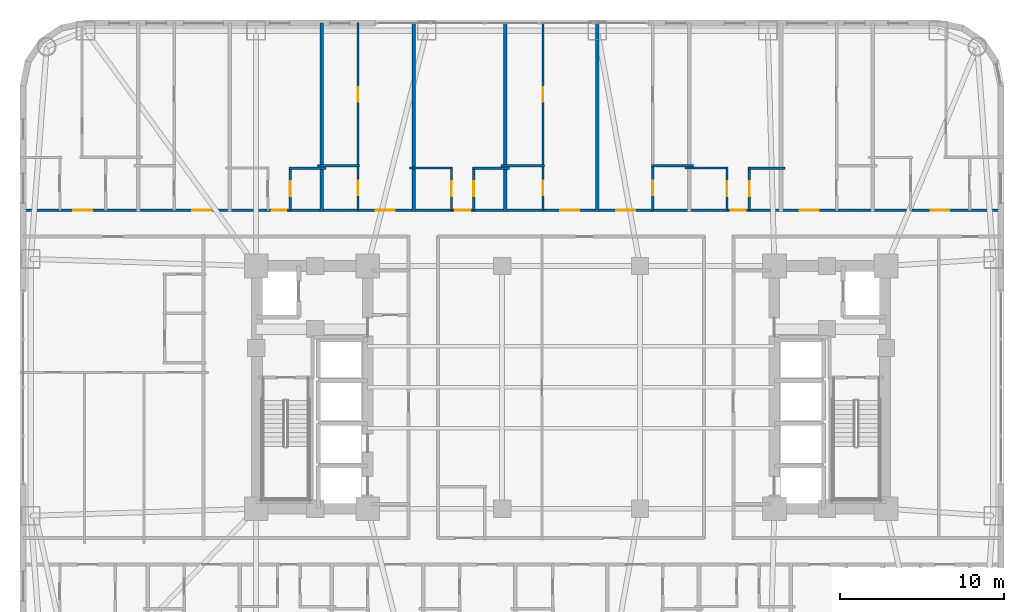
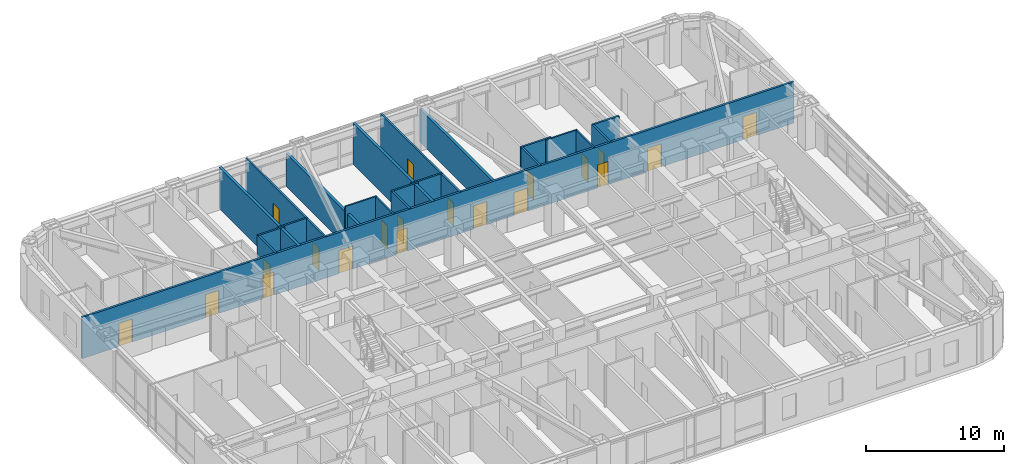
# One storey, part 25 of 28: 23 walls, 20 doors, 20 openings.
"""IFC4 building model written with IfcOpenShell, lengths in metres."""

from ifc_helpers import new_model, si_unit, direction, frame, frame_2d, origin, place, context, subcontext, project, spatial, rectangle, extrude, material, layer, layer_set, type_object, element, fill, save


model = new_model("IFC4")

# Units and contexts
model_context = context("Model", 3, precision=1e-05, world=origin(), true_north=direction((0.0, 1.0)))
body_context = subcontext(model_context, "Body", "Model", "MODEL_VIEW")
ifc_project = project(units=[si_unit("LENGTHUNIT", "METRE"), si_unit("AREAUNIT", "SQUARE_METRE"), si_unit("VOLUMEUNIT", "CUBIC_METRE"), si_unit("PLANEANGLEUNIT", "RADIAN"), si_unit("MASSUNIT", "GRAM", prefix="KILO")], contexts=[model_context])

# Site, building, storey
site_placement = place(None, origin())
site = spatial("IfcSite", under=ifc_project, at=site_placement, CompositionType="ELEMENT")
building_placement = place(site_placement, origin())
building = spatial("IfcBuilding", under=site, at=building_placement, Name="Voryun Gate Residences", CompositionType="ELEMENT")
storey_placement = place(building_placement, frame((0.0, 0.0, 61.10009765625)))
storey = spatial("IfcBuildingStorey", under=building, at=storey_placement, Name="L14", CompositionType="ELEMENT", Elevation=61.10009765625)

# Wall, openings, doors
ifc_material_1 = material(Name="Gypsum acoustic fireboard")
ifc_layer_1 = layer(ifc_material_1, 0.179931640625, Name="W_CORR_RATED_180")
ifc_layer_set_1 = layer_set([ifc_layer_1], Name="Gypsum acoustic fireboard")
wall_type_1 = type_object("IfcWallType", Name="W_CORR_RATED_180", PredefinedType="PARTITIONING", material=ifc_layer_set_1)
wall_1_placement = place(storey_placement, frame((-33.409912109375, 10.800048828125, 0.0), z_axis=(0.0, 0.0, 1.0), x_axis=(1.0, 0.0, 0.0)))
wall_1 = element("IfcWall", 1, at=wall_1_placement, inside=storey, type_object=wall_type_1, Name="Partition wall WP-L14-NCORR", PredefinedType="PARTITIONING", context=body_context, shape_type="SweptSolid", body=[
    extrude(rectangle(XDim=59.619873046875, YDim=0.179931640625, at=frame_2d((29.81005859375, 0.0))), origin(), (0.0, 0.0, 1.0), 3.64990234375),
])
opening_1_placement = place(wall_1_placement, frame((3.061767578125, 0.0, 0.0)))
opening_1 = element("IfcOpeningElement", 2, at=opening_1_placement, cuts=wall_1, Name="Opening D-UNIT-1", PredefinedType="OPENING", context=body_context, shape_type="SweptSolid", body=[
    extrude(rectangle(XDim=1.14990234375, YDim=2.050048828125, at=frame_2d((0.574951171875, 1.02490234375))), frame((0.0, 0.099853515625, 0.0), z_axis=(0.0, -1.0, 0.0), x_axis=(1.0, 0.0, 0.0)), (0.0, 0.0, 1.0), 0.199951171875),
])
opening_2_placement = place(wall_1_placement, frame((10.3115234375, 0.0, 0.0)))
opening_2 = element("IfcOpeningElement", 3, at=opening_2_placement, cuts=wall_1, Name="Opening D-UNIT-1", PredefinedType="OPENING", context=body_context, shape_type="SweptSolid", body=[
    extrude(rectangle(XDim=1.14990234375, YDim=2.050048828125, at=frame_2d((0.574951171875, 1.02490234375))), frame((0.0, 0.099853515625, 0.0), z_axis=(0.0, -1.0, 0.0), x_axis=(1.0, 0.0, 0.0)), (0.0, 0.0, 1.0), 0.199951171875),
])
opening_3_placement = place(wall_1_placement, frame((15.152587890625, 0.0, 0.0)))
opening_3 = element("IfcOpeningElement", 4, at=opening_3_placement, cuts=wall_1, Name="Opening D-INT-2", PredefinedType="OPENING", context=body_context, shape_type="SweptSolid", body=[
    extrude(rectangle(XDim=0.89990234375, YDim=2.050048828125, at=frame_2d((0.449951171875, 1.02490234375))), frame((0.0, 0.099853515625, 0.0), z_axis=(0.0, -1.0, 0.0), x_axis=(1.0, 0.0, 0.0)), (0.0, 0.0, 1.0), 0.199951171875),
])
opening_4_placement = place(wall_1_placement, frame((21.50830078125, 0.0, 0.0)))
opening_4 = element("IfcOpeningElement", 5, at=opening_4_placement, cuts=wall_1, Name="Opening D-UNIT-1", PredefinedType="OPENING", context=body_context, shape_type="SweptSolid", body=[
    extrude(rectangle(XDim=1.14990234375, YDim=2.050048828125, at=frame_2d((0.574951171875, 1.02490234375))), frame((0.0, 0.099853515625, 0.0), z_axis=(0.0, -1.0, 0.0), x_axis=(1.0, 0.0, 0.0)), (0.0, 0.0, 1.0), 0.199951171875),
])
opening_5_placement = place(wall_1_placement, frame((26.355224609375, 0.0, 0.0)))
opening_5 = element("IfcOpeningElement", 6, at=opening_5_placement, cuts=wall_1, Name="Opening D-INT-2", PredefinedType="OPENING", context=body_context, shape_type="SweptSolid", body=[
    extrude(rectangle(XDim=0.89990234375, YDim=2.050048828125, at=frame_2d((0.449951171875, 1.02490234375))), frame((0.0, 0.099853515625, 0.0), z_axis=(0.0, -1.0, 0.0), x_axis=(1.0, 0.0, 0.0)), (0.0, 0.0, 1.0), 0.199951171875),
])
opening_6_placement = place(wall_1_placement, frame((32.752685546875, 0.0, 0.0)))
opening_6 = element("IfcOpeningElement", 7, at=opening_6_placement, cuts=wall_1, Name="Opening D-UNIT-1", PredefinedType="OPENING", context=body_context, shape_type="SweptSolid", body=[
    extrude(rectangle(XDim=1.14990234375, YDim=2.050048828125, at=frame_2d((0.574951171875, 1.02490234375))), frame((0.0, 0.099853515625, 0.0), z_axis=(0.0, -1.0, 0.0), x_axis=(1.0, 0.0, 0.0)), (0.0, 0.0, 1.0), 0.199951171875),
])
opening_7_placement = place(wall_1_placement, frame((36.162841796875, 0.0, 0.0)))
opening_7 = element("IfcOpeningElement", 8, at=opening_7_placement, cuts=wall_1, Name="Opening D-UNIT-1", PredefinedType="OPENING", context=body_context, shape_type="SweptSolid", body=[
    extrude(rectangle(XDim=1.14990234375, YDim=2.050048828125, at=frame_2d((0.574951171875, 1.02490234375))), frame((0.0, 0.099853515625, 0.0), z_axis=(0.0, -1.0, 0.0), x_axis=(1.0, 0.0, 0.0)), (0.0, 0.0, 1.0), 0.199951171875),
])
opening_8_placement = place(wall_1_placement, frame((43.156005859375, 0.0, 0.0)))
opening_8 = element("IfcOpeningElement", 9, at=opening_8_placement, cuts=wall_1, Name="Opening D-INT-2", PredefinedType="OPENING", context=body_context, shape_type="SweptSolid", body=[
    extrude(rectangle(XDim=0.89990234375, YDim=2.050048828125, at=frame_2d((0.449951171875, 1.02490234375))), frame((0.0, 0.099853515625, 0.0), z_axis=(0.0, -1.0, 0.0), x_axis=(1.0, 0.0, 0.0)), (0.0, 0.0, 1.0), 0.199951171875),
])
opening_9_placement = place(wall_1_placement, frame((47.359619140625, 0.0, 0.0)))
opening_9 = element("IfcOpeningElement", 10, at=opening_9_placement, cuts=wall_1, Name="Opening D-UNIT-1", PredefinedType="OPENING", context=body_context, shape_type="SweptSolid", body=[
    extrude(rectangle(XDim=1.14990234375, YDim=2.050048828125, at=frame_2d((0.574951171875, 1.02490234375))), frame((0.0, 0.099853515625, 0.0), z_axis=(0.0, -1.0, 0.0), x_axis=(1.0, 0.0, 0.0)), (0.0, 0.0, 1.0), 0.199951171875),
])
opening_10_placement = place(wall_1_placement, frame((55.336669921875, 0.0, 0.0)))
opening_10 = element("IfcOpeningElement", 11, at=opening_10_placement, cuts=wall_1, Name="Opening D-UNIT-1", PredefinedType="OPENING", context=body_context, shape_type="SweptSolid", body=[
    extrude(rectangle(XDim=1.14990234375, YDim=2.050048828125, at=frame_2d((0.574951171875, 1.02490234375))), frame((0.0, 0.099853515625, 0.0), z_axis=(0.0, -1.0, 0.0), x_axis=(1.0, 0.0, 0.0)), (0.0, 0.0, 1.0), 0.199951171875),
])
ifc_material_2 = material(Name="Architectural oak veneer")
door_type_1 = type_object("IfcDoorType", Name="DR_INT_BATH_900", OperationType="NOTDEFINED", PredefinedType="DOOR", material=ifc_material_2)
door_1_placement = place(opening_3_placement, origin())
door_1 = element("IfcDoor", 12, at=door_1_placement, inside=storey, type_object=door_type_1, Name="Door DR-L14-NENT-3", OperationType="SINGLE_SWING_LEFT", OverallHeight=2.050048828125, OverallWidth=0.89990234375, PredefinedType="DOOR", context=body_context, shape_type="SweptSolid", body=[
    extrude(rectangle(XDim=0.89990234375, YDim=2.050048828125, at=frame_2d((0.449951171875, 1.02490234375))), frame((0.0, 0.02490234375, 0.0), z_axis=(0.0, -1.0, 0.0), x_axis=(1.0, 0.0, 0.0)), (0.0, 0.0, 1.0), 0.050048828125),
])
fill(opening_3, door_1)
door_2_placement = place(opening_5_placement, origin())
door_2 = element("IfcDoor", 13, at=door_2_placement, inside=storey, type_object=door_type_1, Name="Door DR-L14-NENT-5", OperationType="SINGLE_SWING_LEFT", OverallHeight=2.050048828125, OverallWidth=0.89990234375, PredefinedType="DOOR", context=body_context, shape_type="SweptSolid", body=[
    extrude(rectangle(XDim=0.89990234375, YDim=2.050048828125, at=frame_2d((0.449951171875, 1.02490234375))), frame((0.0, 0.02490234375, 0.0), z_axis=(0.0, -1.0, 0.0), x_axis=(1.0, 0.0, 0.0)), (0.0, 0.0, 1.0), 0.050048828125),
])
fill(opening_5, door_2)
door_3_placement = place(opening_8_placement, origin())
door_3 = element("IfcDoor", 14, at=door_3_placement, inside=storey, type_object=door_type_1, Name="Door DR-L14-NENT-8", OperationType="SINGLE_SWING_RIGHT", OverallHeight=2.050048828125, OverallWidth=0.89990234375, PredefinedType="DOOR", context=body_context, shape_type="SweptSolid", body=[
    extrude(rectangle(XDim=0.89990234375, YDim=2.050048828125, at=frame_2d((0.449951171875, 1.02490234375))), frame((0.0, 0.02490234375, 0.0), z_axis=(0.0, -1.0, 0.0), x_axis=(1.0, 0.0, 0.0)), (0.0, 0.0, 1.0), 0.050048828125),
])
fill(opening_8, door_3)
ifc_material_3 = material(Name="Armoured timber-clad fire door", Category="wood")
door_type_2 = type_object("IfcDoorType", Name="DR_UNIT_ENTRY_1150", OperationType="NOTDEFINED", PredefinedType="DOOR", material=ifc_material_3)
door_4_placement = place(opening_1_placement, origin())
door_4 = element("IfcDoor", 15, at=door_4_placement, inside=storey, type_object=door_type_2, Name="Door DR-L14-NENT-1", OperationType="SINGLE_SWING_LEFT", OverallHeight=2.050048828125, OverallWidth=1.14990234375, PredefinedType="DOOR", context=body_context, shape_type="SweptSolid", body=[
    extrude(rectangle(XDim=1.14990234375, YDim=2.050048828125, at=frame_2d((0.574951171875, 1.02490234375))), frame((0.0, 0.02490234375, 0.0), z_axis=(0.0, -1.0, 0.0), x_axis=(1.0, 0.0, 0.0)), (0.0, 0.0, 1.0), 0.050048828125),
])
fill(opening_1, door_4)
door_5_placement = place(opening_2_placement, origin())
door_5 = element("IfcDoor", 16, at=door_5_placement, inside=storey, type_object=door_type_2, Name="Door DR-L14-NENT-2", OperationType="SINGLE_SWING_RIGHT", OverallHeight=2.050048828125, OverallWidth=1.14990234375, PredefinedType="DOOR", context=body_context, shape_type="SweptSolid", body=[
    extrude(rectangle(XDim=1.14990234375, YDim=2.050048828125, at=frame_2d((0.574951171875, 1.02490234375))), frame((0.0, 0.02490234375, 0.0), z_axis=(0.0, -1.0, 0.0), x_axis=(1.0, 0.0, 0.0)), (0.0, 0.0, 1.0), 0.050048828125),
])
fill(opening_2, door_5)
door_6_placement = place(opening_4_placement, origin())
door_6 = element("IfcDoor", 17, at=door_6_placement, inside=storey, type_object=door_type_2, Name="Door DR-L14-NENT-4", OperationType="SINGLE_SWING_RIGHT", OverallHeight=2.050048828125, OverallWidth=1.14990234375, PredefinedType="DOOR", context=body_context, shape_type="SweptSolid", body=[
    extrude(rectangle(XDim=1.14990234375, YDim=2.050048828125, at=frame_2d((0.574951171875, 1.02490234375))), frame((0.0, 0.02490234375, 0.0), z_axis=(0.0, -1.0, 0.0), x_axis=(1.0, 0.0, 0.0)), (0.0, 0.0, 1.0), 0.050048828125),
])
fill(opening_4, door_6)
door_7_placement = place(opening_6_placement, origin())
door_7 = element("IfcDoor", 18, at=door_7_placement, inside=storey, type_object=door_type_2, Name="Door DR-L14-NENT-6", OperationType="SINGLE_SWING_RIGHT", OverallHeight=2.050048828125, OverallWidth=1.14990234375, PredefinedType="DOOR", context=body_context, shape_type="SweptSolid", body=[
    extrude(rectangle(XDim=1.14990234375, YDim=2.050048828125, at=frame_2d((0.574951171875, 1.02490234375))), frame((0.0, 0.02490234375, 0.0), z_axis=(0.0, -1.0, 0.0), x_axis=(1.0, 0.0, 0.0)), (0.0, 0.0, 1.0), 0.050048828125),
])
fill(opening_6, door_7)
door_8_placement = place(opening_7_placement, origin())
door_8 = element("IfcDoor", 19, at=door_8_placement, inside=storey, type_object=door_type_2, Name="Door DR-L14-NENT-7", OperationType="SINGLE_SWING_LEFT", OverallHeight=2.050048828125, OverallWidth=1.14990234375, PredefinedType="DOOR", context=body_context, shape_type="SweptSolid", body=[
    extrude(rectangle(XDim=1.14990234375, YDim=2.050048828125, at=frame_2d((0.574951171875, 1.02490234375))), frame((0.0, 0.02490234375, 0.0), z_axis=(0.0, -1.0, 0.0), x_axis=(1.0, 0.0, 0.0)), (0.0, 0.0, 1.0), 0.050048828125),
])
fill(opening_7, door_8)
door_9_placement = place(opening_9_placement, origin())
door_9 = element("IfcDoor", 20, at=door_9_placement, inside=storey, type_object=door_type_2, Name="Door DR-L14-NENT-9", OperationType="SINGLE_SWING_LEFT", OverallHeight=2.050048828125, OverallWidth=1.14990234375, PredefinedType="DOOR", context=body_context, shape_type="SweptSolid", body=[
    extrude(rectangle(XDim=1.14990234375, YDim=2.050048828125, at=frame_2d((0.574951171875, 1.02490234375))), frame((0.0, 0.02490234375, 0.0), z_axis=(0.0, -1.0, 0.0), x_axis=(1.0, 0.0, 0.0)), (0.0, 0.0, 1.0), 0.050048828125),
])
fill(opening_9, door_9)
door_10_placement = place(opening_10_placement, origin())
door_10 = element("IfcDoor", 21, at=door_10_placement, inside=storey, type_object=door_type_2, Name="Door DR-L14-NENT-10", OperationType="SINGLE_SWING_RIGHT", OverallHeight=2.050048828125, OverallWidth=1.14990234375, PredefinedType="DOOR", context=body_context, shape_type="SweptSolid", body=[
    extrude(rectangle(XDim=1.14990234375, YDim=2.050048828125, at=frame_2d((0.574951171875, 1.02490234375))), frame((0.0, 0.02490234375, 0.0), z_axis=(0.0, -1.0, 0.0), x_axis=(1.0, 0.0, 0.0)), (0.0, 0.0, 1.0), 0.050048828125),
])
fill(opening_10, door_10)

# Walls
ifc_material_4 = material(Name="Concrete C40/50", Category="concrete")
ifc_layer_2 = layer(ifc_material_4, 0.219970703125, Name="W_PARTY_ACOUSTIC_220")
ifc_layer_set_2 = layer_set([ifc_layer_2], Name="Concrete C40/50")
wall_type_2 = type_object("IfcWallType", Name="W_PARTY_ACOUSTIC_220", PredefinedType="PARTITIONING", material=ifc_layer_set_2)
wall_2_placement = place(storey_placement, frame((-15.199951171875, 10.719970703125, 0.0), z_axis=(0.0, 0.0, 1.0), x_axis=(0.0, 1.0, 0.0)))
element("IfcWall", 22, at=wall_2_placement, inside=storey, type_object=wall_type_2, Name="Partition wall WP-L14-NPTY-3", PredefinedType="PARTITIONING", context=body_context, shape_type="SweptSolid", body=[
    extrude(rectangle(XDim=11.489990234375, YDim=0.219970703125, at=frame_2d((5.7451171875, 0.0))), origin(), (0.0, 0.0, 1.0), 3.64990234375),
])
wall_3_placement = place(storey_placement, frame((-9.60009765625, 10.719970703125, 0.0), z_axis=(0.0, 0.0, 1.0), x_axis=(0.0, 1.0, 0.0)))
element("IfcWall", 23, at=wall_3_placement, inside=storey, type_object=wall_type_2, Name="Partition wall WP-L14-NPTY-4", PredefinedType="PARTITIONING", context=body_context, shape_type="SweptSolid", body=[
    extrude(rectangle(XDim=11.489990234375, YDim=0.219970703125, at=frame_2d((5.7451171875, 0.0))), origin(), (0.0, 0.0, 1.0), 2.93994140625),
])
wall_4_placement = place(storey_placement, frame((-4.0, 10.719970703125, 0.0), z_axis=(0.0, 0.0, 1.0), x_axis=(0.0, 1.0, 0.0)))
element("IfcWall", 24, at=wall_4_placement, inside=storey, type_object=wall_type_2, Name="Partition wall WP-L14-NPTY-5", PredefinedType="PARTITIONING", context=body_context, shape_type="SweptSolid", body=[
    extrude(rectangle(XDim=11.489990234375, YDim=0.219970703125, at=frame_2d((5.7451171875, 0.0))), origin(), (0.0, 0.0, 1.0), 3.64990234375),
])
wall_5_placement = place(storey_placement, frame((1.60009765625, 10.719970703125, 0.0), z_axis=(0.0, 0.0, 1.0), x_axis=(0.0, 1.0, 0.0)))
element("IfcWall", 25, at=wall_5_placement, inside=storey, type_object=wall_type_2, Name="Partition wall WP-L14-NPTY-6", PredefinedType="PARTITIONING", context=body_context, shape_type="SweptSolid", body=[
    extrude(rectangle(XDim=11.489990234375, YDim=0.219970703125, at=frame_2d((5.7451171875, 0.0))), origin(), (0.0, 0.0, 1.0), 2.93994140625),
])

# Wall, opening, door
ifc_material_5 = material(Name="Gypsum acoustic partition")
ifc_layer_3 = layer(ifc_material_5, 0.125, Name="W_UNIT_PART_125")
ifc_layer_set_3 = layer_set([ifc_layer_3], Name="Gypsum acoustic partition")
wall_type_3 = type_object("IfcWallType", Name="W_UNIT_PART_125", PredefinedType="PARTITIONING", material=ifc_layer_set_3)
wall_6_placement = place(storey_placement, frame((-7.2900390625, 10.780029296875, 0.0), z_axis=(0.0, 0.0, 1.0), x_axis=(0.0, 1.0, 0.0)))
wall_6 = element("IfcWall", 26, at=wall_6_placement, inside=storey, type_object=wall_type_3, Name="Partition wall WP-L14-N5-CVK", PredefinedType="PARTITIONING", context=body_context, shape_type="SweptSolid", body=[
    extrude(rectangle(XDim=2.64990234375, YDim=0.125, at=frame_2d((1.324951171875, 0.0))), origin(), (0.0, 0.0, 1.0), 3.64990234375),
])
opening_11_placement = place(wall_6_placement, frame((0.875, 0.0, 0.0)))
opening_11 = element("IfcOpeningElement", 27, at=opening_11_placement, cuts=wall_6, Name="Opening D-INT-2", PredefinedType="OPENING", context=body_context, shape_type="SweptSolid", body=[
    extrude(rectangle(XDim=0.89990234375, YDim=2.050048828125, at=frame_2d((0.449951171875, 1.02490234375))), frame((0.0, 0.072509765625, 0.0), z_axis=(0.0, -1.0, 0.0), x_axis=(1.0, 0.0, 0.0)), (0.0, 0.0, 1.0), 0.14501953125),
])
door_11_placement = place(opening_11_placement, origin())
door_11 = element("IfcDoor", 28, at=door_11_placement, inside=storey, type_object=door_type_1, Name="Door DR-L14-N5-DK", OperationType="SINGLE_SWING_LEFT", OverallHeight=2.050048828125, OverallWidth=0.89990234375, PredefinedType="DOOR", context=body_context, shape_type="SweptSolid", body=[
    extrude(rectangle(XDim=0.89990234375, YDim=2.050048828125, at=frame_2d((0.449951171875, 1.02490234375))), frame((0.0, 0.02490234375, 0.0), z_axis=(0.0, -1.0, 0.0), x_axis=(1.0, 0.0, 0.0)), (0.0, 0.0, 1.0), 0.050048828125),
])
fill(opening_11, door_11)

# Wall
wall_7_placement = place(storey_placement, frame((-9.860107421875, 13.3701171875, 0.0), z_axis=(0.0, 0.0, 1.0), x_axis=(1.0, 0.0, 0.0)))
element("IfcWall", 29, at=wall_7_placement, inside=storey, type_object=wall_type_3, Name="Partition wall WP-L14-N5-CHK", PredefinedType="PARTITIONING", context=body_context, shape_type="SweptSolid", body=[
    extrude(rectangle(XDim=2.630126953125, YDim=0.125, at=frame_2d((1.31494140625, 0.0))), origin(), (0.0, 0.0, 1.0), 3.64990234375),
])

# Wall, opening, door
wall_8_placement = place(storey_placement, frame((9.510009765625, 10.780029296875, 0.0), z_axis=(0.0, 0.0, 1.0), x_axis=(0.0, 1.0, 0.0)))
wall_8 = element("IfcWall", 30, at=wall_8_placement, inside=storey, type_object=wall_type_3, Name="Partition wall WP-L14-N8-CVK", PredefinedType="PARTITIONING", context=body_context, shape_type="SweptSolid", body=[
    extrude(rectangle(XDim=2.64990234375, YDim=0.125, at=frame_2d((1.324951171875, 0.0))), origin(), (0.0, 0.0, 1.0), 3.64990234375),
])
opening_12_placement = place(wall_8_placement, frame((0.875, 0.0, 0.0)))
opening_12 = element("IfcOpeningElement", 31, at=opening_12_placement, cuts=wall_8, Name="Opening D-INT-2", PredefinedType="OPENING", context=body_context, shape_type="SweptSolid", body=[
    extrude(rectangle(XDim=0.89990234375, YDim=2.050048828125, at=frame_2d((0.449951171875, 1.02490234375))), frame((0.0, 0.072509765625, 0.0), z_axis=(0.0, -1.0, 0.0), x_axis=(1.0, 0.0, 0.0)), (0.0, 0.0, 1.0), 0.14501953125),
])
door_12_placement = place(opening_12_placement, origin())
door_12 = element("IfcDoor", 32, at=door_12_placement, inside=storey, type_object=door_type_1, Name="Door DR-L14-N8-DK", OperationType="SINGLE_SWING_LEFT", OverallHeight=2.050048828125, OverallWidth=0.89990234375, PredefinedType="DOOR", context=body_context, shape_type="SweptSolid", body=[
    extrude(rectangle(XDim=0.89990234375, YDim=2.050048828125, at=frame_2d((0.449951171875, 1.02490234375))), frame((0.0, 0.02490234375, 0.0), z_axis=(0.0, -1.0, 0.0), x_axis=(1.0, 0.0, 0.0)), (0.0, 0.0, 1.0), 0.050048828125),
])
fill(opening_12, door_12)

# Wall
wall_9_placement = place(storey_placement, frame((6.93994140625, 13.3701171875, 0.0), z_axis=(0.0, 0.0, 1.0), x_axis=(1.0, 0.0, 0.0)))
element("IfcWall", 33, at=wall_9_placement, inside=storey, type_object=wall_type_3, Name="Partition wall WP-L14-N8-CHK", PredefinedType="PARTITIONING", context=body_context, shape_type="SweptSolid", body=[
    extrude(rectangle(XDim=2.630126953125, YDim=0.125, at=frame_2d((1.31494140625, 0.0))), origin(), (0.0, 0.0, 1.0), 3.64990234375),
])

# Wall, opening, door
ifc_material_6 = material(Name="Gypsum moisture-resistant partition")
ifc_layer_4 = layer(ifc_material_6, 0.14990234375, Name="W_WET_PLUMB_150")
ifc_layer_set_4 = layer_set([ifc_layer_4], Name="Gypsum moisture-resistant partition")
wall_type_4 = type_object("IfcWallType", Name="W_WET_PLUMB_150", PredefinedType="PLUMBINGWALL", material=ifc_layer_set_4)
wall_10_placement = place(storey_placement, frame((-17.123046875, 10.780029296875, 0.0), z_axis=(0.0, 0.0, 1.0), x_axis=(0.0, 1.0, 0.0)))
wall_10 = element("IfcWall", 34, at=wall_10_placement, inside=storey, type_object=wall_type_4, Name="Partition wall WP-L14-N3-CVB", PredefinedType="PLUMBINGWALL", context=body_context, shape_type="SweptSolid", body=[
    extrude(rectangle(XDim=2.64990234375, YDim=0.14990234375, at=frame_2d((1.324951171875, 0.0))), origin(), (0.0, 0.0, 1.0), 3.64990234375),
])
opening_13_placement = place(wall_10_placement, frame((0.875, 0.0, 0.0)))
opening_13 = element("IfcOpeningElement", 35, at=opening_13_placement, cuts=wall_10, Name="Opening D-INT-2", PredefinedType="OPENING", context=body_context, shape_type="SweptSolid", body=[
    extrude(rectangle(XDim=0.89990234375, YDim=2.050048828125, at=frame_2d((0.449951171875, 1.02490234375))), frame((0.0, 0.0849609375, 0.0), z_axis=(0.0, -1.0, 0.0), x_axis=(1.0, 0.0, 0.0)), (0.0, 0.0, 1.0), 0.169921875),
])
door_13_placement = place(opening_13_placement, origin())
door_13 = element("IfcDoor", 36, at=door_13_placement, inside=storey, type_object=door_type_1, Name="Door DR-L14-N3-DB", OperationType="SINGLE_SWING_RIGHT", OverallHeight=2.050048828125, OverallWidth=0.89990234375, PredefinedType="DOOR", context=body_context, shape_type="SweptSolid", body=[
    extrude(rectangle(XDim=0.89990234375, YDim=2.050048828125, at=frame_2d((0.449951171875, 1.02490234375))), frame((0.0, 0.02490234375, 0.0), z_axis=(0.0, -1.0, 0.0), x_axis=(1.0, 0.0, 0.0)), (0.0, 0.0, 1.0), 0.050048828125),
])
fill(opening_13, door_13)

# Walls
wall_11_placement = place(storey_placement, frame((-17.18310546875, 13.3701171875, 0.0), z_axis=(0.0, 0.0, 1.0), x_axis=(1.0, 0.0, 0.0)))
element("IfcWall", 37, at=wall_11_placement, inside=storey, type_object=wall_type_4, Name="Partition wall WP-L14-N3-CHB", PredefinedType="PLUMBINGWALL", context=body_context, shape_type="SweptSolid", body=[
    extrude(rectangle(XDim=2.2431640625, YDim=0.14990234375, at=frame_2d((1.12158203125, 0.0))), origin(), (0.0, 0.0, 1.0), 3.64990234375),
])
wall_12_placement = place(storey_placement, frame((-15.4599609375, 13.5, 0.0), z_axis=(0.0, 0.0, 1.0), x_axis=(1.0, 0.0, 0.0)))
element("IfcWall", 38, at=wall_12_placement, inside=storey, type_object=wall_type_4, Name="Partition wall WP-L14-N4-SKB", PredefinedType="PLUMBINGWALL", context=body_context, shape_type="SweptSolid", body=[
    extrude(rectangle(XDim=2.550048828125, YDim=0.14990234375, at=frame_2d((1.27490234375, 0.0))), origin(), (0.0, 0.0, 1.0), 3.64990234375),
])

# Wall, opening, door
wall_13_placement = place(storey_placement, frame((-12.989990234375, 10.780029296875, 0.0), z_axis=(0.0, 0.0, 1.0), x_axis=(0.0, 1.0, 0.0)))
wall_13 = element("IfcWall", 39, at=wall_13_placement, inside=storey, type_object=wall_type_4, Name="Partition wall WP-L14-N4-SVT1", PredefinedType="PLUMBINGWALL", context=body_context, shape_type="SweptSolid", body=[
    extrude(rectangle(XDim=2.760009765625, YDim=0.14990234375, at=frame_2d((1.3798828125, 0.0))), origin(), (0.0, 0.0, 1.0), 3.64990234375),
])
opening_14_placement = place(wall_13_placement, frame((0.929931640625, 0.0, 0.0)))
opening_14 = element("IfcOpeningElement", 40, at=opening_14_placement, cuts=wall_13, Name="Opening D-INT-2", PredefinedType="OPENING", context=body_context, shape_type="SweptSolid", body=[
    extrude(rectangle(XDim=0.89990234375, YDim=2.050048828125, at=frame_2d((0.449951171875, 1.02490234375))), frame((0.0, 0.0849609375, 0.0), z_axis=(0.0, -1.0, 0.0), x_axis=(1.0, 0.0, 0.0)), (0.0, 0.0, 1.0), 0.169921875),
])
door_14_placement = place(opening_14_placement, origin())
door_14 = element("IfcDoor", 41, at=door_14_placement, inside=storey, type_object=door_type_1, Name="Door DR-L14-N4-DB", OperationType="SINGLE_SWING_LEFT", OverallHeight=2.050048828125, OverallWidth=0.89990234375, PredefinedType="DOOR", context=body_context, shape_type="SweptSolid", body=[
    extrude(rectangle(XDim=0.89990234375, YDim=2.050048828125, at=frame_2d((0.449951171875, 1.02490234375))), frame((0.0, 0.02490234375, 0.0), z_axis=(0.0, -1.0, 0.0), x_axis=(1.0, 0.0, 0.0)), (0.0, 0.0, 1.0), 0.050048828125),
])
fill(opening_14, door_14)

wall_14_placement = place(storey_placement, frame((-12.989990234375, 13.4599609375, 0.0), z_axis=(0.0, 0.0, 1.0), x_axis=(0.0, 1.0, 0.0)))
wall_14 = element("IfcWall", 42, at=wall_14_placement, inside=storey, type_object=wall_type_4, Name="Partition wall WP-L14-N4-SVT2", PredefinedType="PLUMBINGWALL", context=body_context, shape_type="SweptSolid", body=[
    extrude(rectangle(XDim=8.797607421875, YDim=0.14990234375, at=frame_2d((4.39892578125, 0.0))), origin(), (0.0, 0.0, 1.0), 3.64990234375),
])
opening_15_placement = place(wall_14_placement, frame((3.94873046875, 0.0, 0.0)))
opening_15 = element("IfcOpeningElement", 43, at=opening_15_placement, cuts=wall_14, Name="Opening D-INT-2", PredefinedType="OPENING", context=body_context, shape_type="SweptSolid", body=[
    extrude(rectangle(XDim=0.89990234375, YDim=2.050048828125, at=frame_2d((0.449951171875, 1.02490234375))), frame((0.0, 0.0849609375, 0.0), z_axis=(0.0, -1.0, 0.0), x_axis=(1.0, 0.0, 0.0)), (0.0, 0.0, 1.0), 0.169921875),
])
door_15_placement = place(opening_15_placement, origin())
door_15 = element("IfcDoor", 44, at=door_15_placement, inside=storey, type_object=door_type_1, Name="Door DR-L14-N4-DK", OperationType="SINGLE_SWING_RIGHT", OverallHeight=2.050048828125, OverallWidth=0.89990234375, PredefinedType="DOOR", context=body_context, shape_type="SweptSolid", body=[
    extrude(rectangle(XDim=0.89990234375, YDim=2.050048828125, at=frame_2d((0.449951171875, 1.02490234375))), frame((0.0, 0.02490234375, 0.0), z_axis=(0.0, -1.0, 0.0), x_axis=(1.0, 0.0, 0.0)), (0.0, 0.0, 1.0), 0.050048828125),
])
fill(opening_15, door_15)

wall_15_placement = place(storey_placement, frame((-5.923095703125, 10.780029296875, 0.0), z_axis=(0.0, 0.0, 1.0), x_axis=(0.0, 1.0, 0.0)))
wall_15 = element("IfcWall", 45, at=wall_15_placement, inside=storey, type_object=wall_type_4, Name="Partition wall WP-L14-N5-CVB", PredefinedType="PLUMBINGWALL", context=body_context, shape_type="SweptSolid", body=[
    extrude(rectangle(XDim=2.64990234375, YDim=0.14990234375, at=frame_2d((1.324951171875, 0.0))), origin(), (0.0, 0.0, 1.0), 3.64990234375),
])
opening_16_placement = place(wall_15_placement, frame((0.875, 0.0, 0.0)))
opening_16 = element("IfcOpeningElement", 46, at=opening_16_placement, cuts=wall_15, Name="Opening D-INT-2", PredefinedType="OPENING", context=body_context, shape_type="SweptSolid", body=[
    extrude(rectangle(XDim=0.89990234375, YDim=2.050048828125, at=frame_2d((0.449951171875, 1.02490234375))), frame((0.0, 0.0849609375, 0.0), z_axis=(0.0, -1.0, 0.0), x_axis=(1.0, 0.0, 0.0)), (0.0, 0.0, 1.0), 0.169921875),
])
door_16_placement = place(opening_16_placement, origin())
door_16 = element("IfcDoor", 47, at=door_16_placement, inside=storey, type_object=door_type_1, Name="Door DR-L14-N5-DB", OperationType="SINGLE_SWING_RIGHT", OverallHeight=2.050048828125, OverallWidth=0.89990234375, PredefinedType="DOOR", context=body_context, shape_type="SweptSolid", body=[
    extrude(rectangle(XDim=0.89990234375, YDim=2.050048828125, at=frame_2d((0.449951171875, 1.02490234375))), frame((0.0, 0.02490234375, 0.0), z_axis=(0.0, -1.0, 0.0), x_axis=(1.0, 0.0, 0.0)), (0.0, 0.0, 1.0), 0.050048828125),
])
fill(opening_16, door_16)

# Walls
wall_16_placement = place(storey_placement, frame((-5.98291015625, 13.3701171875, 0.0), z_axis=(0.0, 0.0, 1.0), x_axis=(1.0, 0.0, 0.0)))
element("IfcWall", 48, at=wall_16_placement, inside=storey, type_object=wall_type_4, Name="Partition wall WP-L14-N5-CHB", PredefinedType="PLUMBINGWALL", context=body_context, shape_type="SweptSolid", body=[
    extrude(rectangle(XDim=2.242919921875, YDim=0.14990234375, at=frame_2d((1.12158203125, 0.0))), origin(), (0.0, 0.0, 1.0), 3.64990234375),
])
wall_17_placement = place(storey_placement, frame((-4.260009765625, 13.5, 0.0), z_axis=(0.0, 0.0, 1.0), x_axis=(1.0, 0.0, 0.0)))
element("IfcWall", 49, at=wall_17_placement, inside=storey, type_object=wall_type_4, Name="Partition wall WP-L14-N6-SKB", PredefinedType="PLUMBINGWALL", context=body_context, shape_type="SweptSolid", body=[
    extrude(rectangle(XDim=2.630126953125, YDim=0.14990234375, at=frame_2d((1.31494140625, 0.0))), origin(), (0.0, 0.0, 1.0), 3.64990234375),
])

# Wall, opening, door
wall_18_placement = place(storey_placement, frame((-1.7099609375, 10.780029296875, 0.0), z_axis=(0.0, 0.0, 1.0), x_axis=(0.0, 1.0, 0.0)))
wall_18 = element("IfcWall", 50, at=wall_18_placement, inside=storey, type_object=wall_type_4, Name="Partition wall WP-L14-N6-SVT1", PredefinedType="PLUMBINGWALL", context=body_context, shape_type="SweptSolid", body=[
    extrude(rectangle(XDim=2.760009765625, YDim=0.14990234375, at=frame_2d((1.3798828125, 0.0))), origin(), (0.0, 0.0, 1.0), 3.64990234375),
])
opening_17_placement = place(wall_18_placement, frame((0.929931640625, 0.0, 0.0)))
opening_17 = element("IfcOpeningElement", 51, at=opening_17_placement, cuts=wall_18, Name="Opening D-INT-2", PredefinedType="OPENING", context=body_context, shape_type="SweptSolid", body=[
    extrude(rectangle(XDim=0.89990234375, YDim=2.050048828125, at=frame_2d((0.449951171875, 1.02490234375))), frame((0.0, 0.0849609375, 0.0), z_axis=(0.0, -1.0, 0.0), x_axis=(1.0, 0.0, 0.0)), (0.0, 0.0, 1.0), 0.169921875),
])
door_17_placement = place(opening_17_placement, origin())
door_17 = element("IfcDoor", 52, at=door_17_placement, inside=storey, type_object=door_type_1, Name="Door DR-L14-N6-DB", OperationType="SINGLE_SWING_LEFT", OverallHeight=2.050048828125, OverallWidth=0.89990234375, PredefinedType="DOOR", context=body_context, shape_type="SweptSolid", body=[
    extrude(rectangle(XDim=0.89990234375, YDim=2.050048828125, at=frame_2d((0.449951171875, 1.02490234375))), frame((0.0, 0.02490234375, 0.0), z_axis=(0.0, -1.0, 0.0), x_axis=(1.0, 0.0, 0.0)), (0.0, 0.0, 1.0), 0.050048828125),
])
fill(opening_17, door_17)

wall_19_placement = place(storey_placement, frame((-1.7099609375, 13.4599609375, 0.0), z_axis=(0.0, 0.0, 1.0), x_axis=(0.0, 1.0, 0.0)))
wall_19 = element("IfcWall", 53, at=wall_19_placement, inside=storey, type_object=wall_type_4, Name="Partition wall WP-L14-N6-SVT2", PredefinedType="PLUMBINGWALL", context=body_context, shape_type="SweptSolid", body=[
    extrude(rectangle(XDim=8.797607421875, YDim=0.14990234375, at=frame_2d((4.39892578125, 0.0))), origin(), (0.0, 0.0, 1.0), 3.64990234375),
])
opening_18_placement = place(wall_19_placement, frame((3.94873046875, 0.0, 0.0)))
opening_18 = element("IfcOpeningElement", 54, at=opening_18_placement, cuts=wall_19, Name="Opening D-INT-2", PredefinedType="OPENING", context=body_context, shape_type="SweptSolid", body=[
    extrude(rectangle(XDim=0.89990234375, YDim=2.050048828125, at=frame_2d((0.449951171875, 1.02490234375))), frame((0.0, 0.0849609375, 0.0), z_axis=(0.0, -1.0, 0.0), x_axis=(1.0, 0.0, 0.0)), (0.0, 0.0, 1.0), 0.169921875),
])
door_18_placement = place(opening_18_placement, origin())
door_18 = element("IfcDoor", 55, at=door_18_placement, inside=storey, type_object=door_type_1, Name="Door DR-L14-N6-DK", OperationType="SINGLE_SWING_RIGHT", OverallHeight=2.050048828125, OverallWidth=0.89990234375, PredefinedType="DOOR", context=body_context, shape_type="SweptSolid", body=[
    extrude(rectangle(XDim=0.89990234375, YDim=2.050048828125, at=frame_2d((0.449951171875, 1.02490234375))), frame((0.0, 0.02490234375, 0.0), z_axis=(0.0, -1.0, 0.0), x_axis=(1.0, 0.0, 0.0)), (0.0, 0.0, 1.0), 0.050048828125),
])
fill(opening_18, door_18)

# Wall
wall_20_placement = place(storey_placement, frame((4.909912109375, 13.5, 0.0), z_axis=(0.0, 0.0, 1.0), x_axis=(1.0, 0.0, 0.0)))
element("IfcWall", 56, at=wall_20_placement, inside=storey, type_object=wall_type_4, Name="Partition wall WP-L14-N7-SKB", PredefinedType="PLUMBINGWALL", context=body_context, shape_type="SweptSolid", body=[
    extrude(rectangle(XDim=2.550048828125, YDim=0.14990234375, at=frame_2d((1.27490234375, 0.0))), origin(), (0.0, 0.0, 1.0), 3.64990234375),
])

# Wall, opening, door
wall_21_placement = place(storey_placement, frame((4.989990234375, 10.780029296875, 0.0), z_axis=(0.0, 0.0, 1.0), x_axis=(0.0, 1.0, 0.0)))
wall_21 = element("IfcWall", 57, at=wall_21_placement, inside=storey, type_object=wall_type_4, Name="Partition wall WP-L14-N7-SVT1", PredefinedType="PLUMBINGWALL", context=body_context, shape_type="SweptSolid", body=[
    extrude(rectangle(XDim=2.760009765625, YDim=0.14990234375, at=frame_2d((1.3798828125, 0.0))), origin(), (0.0, 0.0, 1.0), 3.64990234375),
])
opening_19_placement = place(wall_21_placement, frame((0.929931640625, 0.0, 0.0)))
opening_19 = element("IfcOpeningElement", 58, at=opening_19_placement, cuts=wall_21, Name="Opening D-INT-2", PredefinedType="OPENING", context=body_context, shape_type="SweptSolid", body=[
    extrude(rectangle(XDim=0.89990234375, YDim=2.050048828125, at=frame_2d((0.449951171875, 1.02490234375))), frame((0.0, 0.0849609375, 0.0), z_axis=(0.0, -1.0, 0.0), x_axis=(1.0, 0.0, 0.0)), (0.0, 0.0, 1.0), 0.169921875),
])
door_19_placement = place(opening_19_placement, origin())
door_19 = element("IfcDoor", 59, at=door_19_placement, inside=storey, type_object=door_type_1, Name="Door DR-L14-N7-DB", OperationType="SINGLE_SWING_LEFT", OverallHeight=2.050048828125, OverallWidth=0.89990234375, PredefinedType="DOOR", context=body_context, shape_type="SweptSolid", body=[
    extrude(rectangle(XDim=0.89990234375, YDim=2.050048828125, at=frame_2d((0.449951171875, 1.02490234375))), frame((0.0, 0.02490234375, 0.0), z_axis=(0.0, -1.0, 0.0), x_axis=(1.0, 0.0, 0.0)), (0.0, 0.0, 1.0), 0.050048828125),
])
fill(opening_19, door_19)

wall_22_placement = place(storey_placement, frame((10.876953125, 10.780029296875, 0.0), z_axis=(0.0, 0.0, 1.0), x_axis=(0.0, 1.0, 0.0)))
wall_22 = element("IfcWall", 60, at=wall_22_placement, inside=storey, type_object=wall_type_4, Name="Partition wall WP-L14-N8-CVB", PredefinedType="PLUMBINGWALL", context=body_context, shape_type="SweptSolid", body=[
    extrude(rectangle(XDim=2.64990234375, YDim=0.14990234375, at=frame_2d((1.324951171875, 0.0))), origin(), (0.0, 0.0, 1.0), 3.64990234375),
])
opening_20_placement = place(wall_22_placement, frame((0.875, 0.0, 0.0)))
opening_20 = element("IfcOpeningElement", 61, at=opening_20_placement, cuts=wall_22, Name="Opening D-INT-2", PredefinedType="OPENING", context=body_context, shape_type="SweptSolid", body=[
    extrude(rectangle(XDim=0.89990234375, YDim=2.050048828125, at=frame_2d((0.449951171875, 1.02490234375))), frame((0.0, 0.0849609375, 0.0), z_axis=(0.0, -1.0, 0.0), x_axis=(1.0, 0.0, 0.0)), (0.0, 0.0, 1.0), 0.169921875),
])
door_20_placement = place(opening_20_placement, origin())
door_20 = element("IfcDoor", 62, at=door_20_placement, inside=storey, type_object=door_type_1, Name="Door DR-L14-N8-DB", OperationType="SINGLE_SWING_RIGHT", OverallHeight=2.050048828125, OverallWidth=0.89990234375, PredefinedType="DOOR", context=body_context, shape_type="SweptSolid", body=[
    extrude(rectangle(XDim=0.89990234375, YDim=2.050048828125, at=frame_2d((0.449951171875, 1.02490234375))), frame((0.0, 0.02490234375, 0.0), z_axis=(0.0, -1.0, 0.0), x_axis=(1.0, 0.0, 0.0)), (0.0, 0.0, 1.0), 0.050048828125),
])
fill(opening_20, door_20)

# Wall
wall_23_placement = place(storey_placement, frame((10.81689453125, 13.3701171875, 0.0), z_axis=(0.0, 0.0, 1.0), x_axis=(1.0, 0.0, 0.0)))
element("IfcWall", 63, at=wall_23_placement, inside=storey, type_object=wall_type_4, Name="Partition wall WP-L14-N8-CHB", PredefinedType="PLUMBINGWALL", context=body_context, shape_type="SweptSolid", body=[
    extrude(rectangle(XDim=2.2431640625, YDim=0.14990234375, at=frame_2d((1.12158203125, 0.0))), origin(), (0.0, 0.0, 1.0), 3.64990234375),
])

save(model, "model.ifc")
